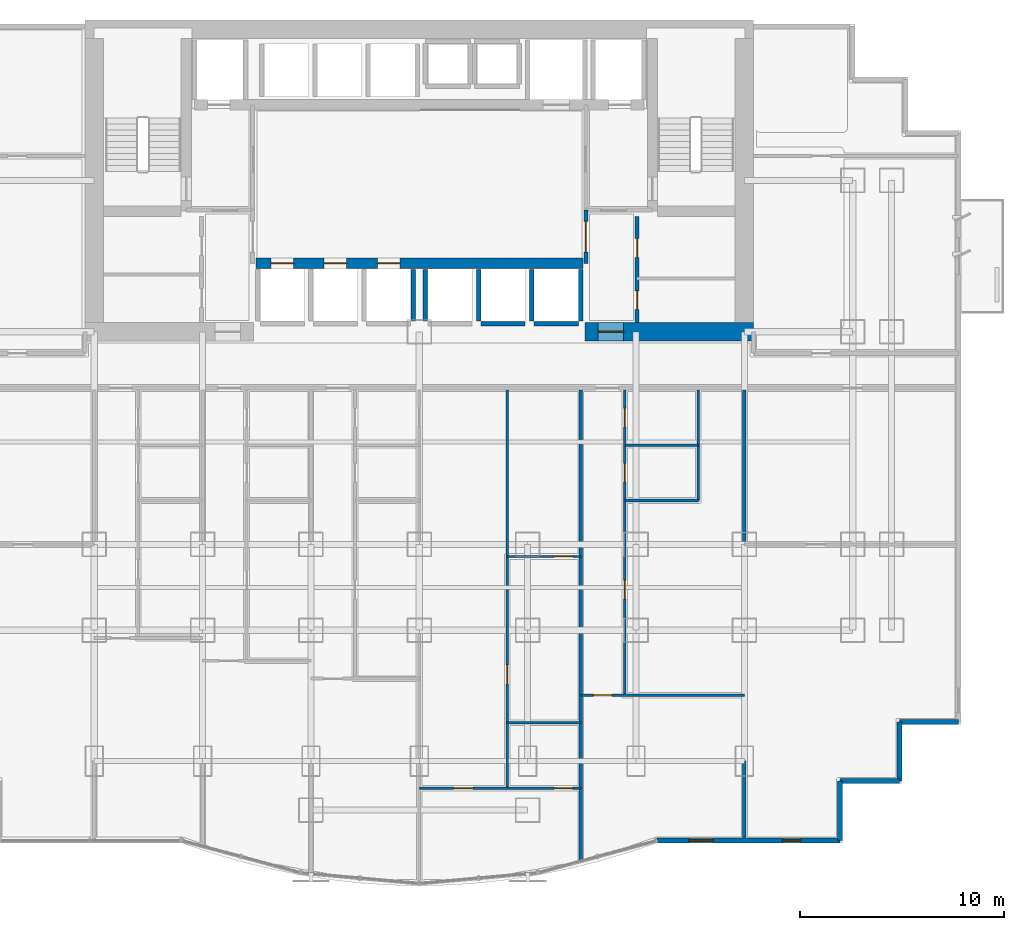
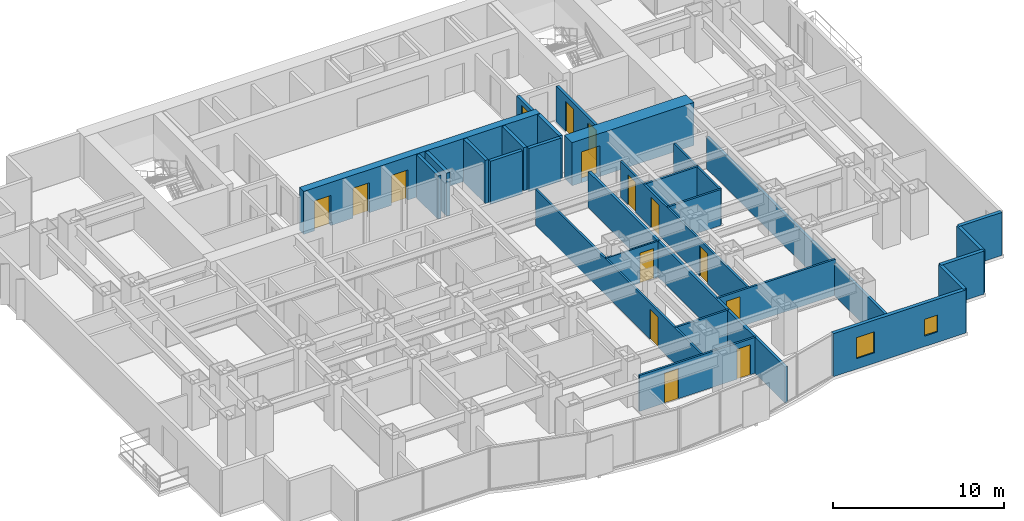
# One storey, part 6 of 10: 27 walls, 15 doors, 2 windows, 17 openings.
"""IFC4 building model written with IfcOpenShell, lengths in metres."""

from ifc_helpers import new_model, si_unit, direction, frame, frame_2d, origin, place, context, subcontext, project, spatial, rectangle, extrude, material, layer, layer_set, type_object, element, fill, save


model = new_model("IFC4")

# Units and contexts
model_context = context("Model", 3, precision=1e-05, world=origin(), true_north=direction((0.0, 1.0)))
body_context = subcontext(model_context, "Body", "Model", "MODEL_VIEW")
ifc_project = project(units=[si_unit("LENGTHUNIT", "METRE"), si_unit("AREAUNIT", "SQUARE_METRE"), si_unit("VOLUMEUNIT", "CUBIC_METRE"), si_unit("PLANEANGLEUNIT", "RADIAN"), si_unit("MASSUNIT", "GRAM", prefix="KILO")], contexts=[model_context])

# Site, building, storey
site_placement = place(None, origin())
site = spatial("IfcSite", under=ifc_project, at=site_placement, CompositionType="ELEMENT")
building_placement = place(site_placement, origin())
building = spatial("IfcBuilding", under=site, at=building_placement, Name="Qianlan Lanfeng Residences", CompositionType="ELEMENT")
storey_placement = place(building_placement, frame((0.0, 0.0, 40.699951171875)))
storey = spatial("IfcBuildingStorey", under=building, at=storey_placement, Name="L10", CompositionType="ELEMENT", Elevation=40.699951171875)

# Wall, openings, doors
ifc_material_1 = material(Name="Concrete C70", Category="concrete")
ifc_layer_1 = layer(ifc_material_1, 0.5)
ifc_layer_set_1 = layer_set([ifc_layer_1], Name="Concrete C70")
wall_type_1 = type_object("IfcWallType", Name="CW-RC-500", PredefinedType="SHEAR", material=ifc_layer_set_1)
wall_1_placement = place(storey_placement, frame((18.5, 28.550048828125, 0.0), z_axis=(0.0, 0.0, 1.0), x_axis=(1.0, 0.0, 0.0)))
wall_1 = element("IfcWall", 1, at=wall_1_placement, inside=storey, type_object=wall_type_1, Name="L10 Core Shear Wall LBS", PredefinedType="SHEAR", context=body_context, shape_type="SweptSolid", body=[
    extrude(rectangle(XDim=16.0, YDim=0.5, at=frame_2d((8.0, 0.0))), origin(), (0.0, 0.0, 1.0), 3.080078125),
])
opening_1_placement = place(wall_1_placement, frame((0.75, 0.0, 0.0)))
opening_1 = element("IfcOpeningElement", 2, at=opening_1_placement, cuts=wall_1, Name="Opening L10-LD-PL-L1", PredefinedType="OPENING", context=body_context, shape_type="SweptSolid", body=[
    extrude(rectangle(XDim=1.10009765625, YDim=2.14990234375, at=frame_2d((0.550048828125, 1.074951171875))), frame((0.0, 0.260009765625, 0.0), z_axis=(0.0, -1.0, 0.0), x_axis=(1.0, 0.0, 0.0)), (0.0, 0.0, 1.0), 0.52001953125),
])
opening_2_placement = place(wall_1_placement, frame((3.35009765625, 0.0, 0.0)))
opening_2 = element("IfcOpeningElement", 3, at=opening_2_placement, cuts=wall_1, Name="Opening L10-LD-PL-L2", PredefinedType="OPENING", context=body_context, shape_type="SweptSolid", body=[
    extrude(rectangle(XDim=1.10009765625, YDim=2.14990234375, at=frame_2d((0.550048828125, 1.074951171875))), frame((0.0, 0.260009765625, 0.0), z_axis=(0.0, -1.0, 0.0), x_axis=(1.0, 0.0, 0.0)), (0.0, 0.0, 1.0), 0.52001953125),
])
opening_3_placement = place(wall_1_placement, frame((5.949951171875, 0.0, 0.0)))
opening_3 = element("IfcOpeningElement", 4, at=opening_3_placement, cuts=wall_1, Name="Opening L10-LD-PL-L3", PredefinedType="OPENING", context=body_context, shape_type="SweptSolid", body=[
    extrude(rectangle(XDim=1.10009765625, YDim=2.14990234375, at=frame_2d((0.550048828125, 1.074951171875))), frame((0.0, 0.260009765625, 0.0), z_axis=(0.0, -1.0, 0.0), x_axis=(1.0, 0.0, 0.0)), (0.0, 0.0, 1.0), 0.52001953125),
])
ifc_material_2 = material(Name="Brushed Stainless Steel Sliding Lift Door", Category="steel")
door_type_1 = type_object("IfcDoorType", Name="LD-01", OperationType="NOTDEFINED", PredefinedType="DOOR", material=ifc_material_2)
door_1_placement = place(opening_1_placement, origin())
door_1 = element("IfcDoor", 5, at=door_1_placement, inside=storey, type_object=door_type_1, Name="L10 Elevator PL-L1 Sliding Landing Door", OperationType="DOUBLE_DOOR_SLIDING", OverallHeight=2.14990234375, OverallWidth=1.10009765625, PredefinedType="DOOR", context=body_context, shape_type="SweptSolid", body=[
    extrude(rectangle(XDim=1.10009765625, YDim=2.14990234375, at=frame_2d((0.550048828125, 1.074951171875))), frame((0.0, 0.02490234375, 0.0), z_axis=(0.0, -1.0, 0.0), x_axis=(1.0, 0.0, 0.0)), (0.0, 0.0, 1.0), 0.050048828125),
])
fill(opening_1, door_1)
door_2_placement = place(opening_2_placement, origin())
door_2 = element("IfcDoor", 6, at=door_2_placement, inside=storey, type_object=door_type_1, Name="L10 Elevator PL-L2 Sliding Landing Door", OperationType="DOUBLE_DOOR_SLIDING", OverallHeight=2.14990234375, OverallWidth=1.10009765625, PredefinedType="DOOR", context=body_context, shape_type="SweptSolid", body=[
    extrude(rectangle(XDim=1.10009765625, YDim=2.14990234375, at=frame_2d((0.550048828125, 1.074951171875))), frame((0.0, 0.02490234375, 0.0), z_axis=(0.0, -1.0, 0.0), x_axis=(1.0, 0.0, 0.0)), (0.0, 0.0, 1.0), 0.050048828125),
])
fill(opening_2, door_2)
door_3_placement = place(opening_3_placement, origin())
door_3 = element("IfcDoor", 7, at=door_3_placement, inside=storey, type_object=door_type_1, Name="L10 Elevator PL-L3 Sliding Landing Door", OperationType="DOUBLE_DOOR_SLIDING", OverallHeight=2.14990234375, OverallWidth=1.10009765625, PredefinedType="DOOR", context=body_context, shape_type="SweptSolid", body=[
    extrude(rectangle(XDim=1.10009765625, YDim=2.14990234375, at=frame_2d((0.550048828125, 1.074951171875))), frame((0.0, 0.02490234375, 0.0), z_axis=(0.0, -1.0, 0.0), x_axis=(1.0, 0.0, 0.0)), (0.0, 0.0, 1.0), 0.050048828125),
])
fill(opening_3, door_3)

# Wall, opening, door
ifc_layer_2 = layer(ifc_material_1, 0.89990234375)
ifc_layer_set_2 = layer_set([ifc_layer_2], Name="Concrete C70")
wall_type_2 = type_object("IfcWallType", Name="CW-RC-900", PredefinedType="SHEAR", material=ifc_layer_set_2)
wall_2_placement = place(storey_placement, frame((34.60009765625, 25.199951171875, 0.0), z_axis=(0.0, 0.0, 1.0), x_axis=(1.0, 0.0, 0.0)))
wall_2 = element("IfcWall", 8, at=wall_2_placement, inside=storey, type_object=wall_type_2, Name="L10 Core Shear Wall SE", PredefinedType="SHEAR", context=body_context, shape_type="SweptSolid", body=[
    extrude(rectangle(XDim=8.25, YDim=0.89990234375, at=frame_2d((4.125, 0.0))), origin(), (0.0, 0.0, 1.0), 3.080078125),
])
opening_4_placement = place(wall_2_placement, frame((0.64990234375, 0.0, 0.0)))
opening_4 = element("IfcOpeningElement", 9, at=opening_4_placement, cuts=wall_2, Name="Opening L10-D02", PredefinedType="OPENING", context=body_context, shape_type="SweptSolid", body=[
    extrude(rectangle(XDim=1.25, YDim=2.199951171875, at=frame_2d((0.625, 1.10009765625))), frame((0.0, 0.4599609375, 0.0), z_axis=(0.0, -1.0, 0.0), x_axis=(1.0, 0.0, 0.0)), (0.0, 0.0, 1.0), 0.919921875),
])
ifc_material_3 = material(Name="Painted Galvanised Steel Fire Door", Category="steel")
door_type_2 = type_object("IfcDoorType", Name="DT-FFL", OperationType="NOTDEFINED", PredefinedType="DOOR", material=ifc_material_3)
door_4_placement = place(opening_4_placement, frame((1.25, 0.0, 0.0), z_axis=(0.0, 0.0, 1.0), x_axis=(-1.0, 0.0, 0.0)))
door_4 = element("IfcDoor", 10, at=door_4_placement, inside=storey, type_object=door_type_2, Name="L10 East Core Lobby Smoke Door L10-D02 (DT-FFL)", OperationType="SINGLE_SWING_LEFT", OverallHeight=2.199951171875, OverallWidth=1.25, PredefinedType="DOOR", context=body_context, shape_type="SweptSolid", body=[
    extrude(rectangle(XDim=1.25, YDim=2.199951171875, at=frame_2d((0.625, 1.10009765625))), frame((0.0, 0.02490234375, 0.0), z_axis=(0.0, -1.0, 0.0), x_axis=(1.0, 0.0, 0.0)), (0.0, 0.0, 1.0), 0.050048828125),
])
fill(opening_4, door_4)

# Wall, openings, windows
ifc_material_4 = material(Name="Concrete C42", Category="concrete")
ifc_layer_3 = layer(ifc_material_4, 0.239990234375)
ifc_layer_set_3 = layer_set([ifc_layer_3], Name="Concrete C42")
wall_type_3 = type_object("IfcWallType", Name="EW-240", PredefinedType="SOLIDWALL", material=ifc_layer_set_3)
wall_3_placement = place(storey_placement, frame((38.1298828125, 0.320068359375, 0.0), z_axis=(0.0, 0.0, 1.0), x_axis=(1.0, 0.0, 0.0)))
wall_3 = element("IfcWall", 11, at=wall_3_placement, inside=storey, type_object=wall_type_3, Name="L10 Exterior Facade Spandrel Wall 5", PredefinedType="SOLIDWALL", context=body_context, shape_type="SweptSolid", body=[
    extrude(rectangle(XDim=8.9501953125, YDim=0.239990234375, at=frame_2d((4.47509765625, 0.0))), origin(), (0.0, 0.0, 1.0), 3.080078125),
])
opening_5_placement = place(wall_3_placement, frame((6.135009765625, 0.0, 0.75)))
opening_5 = element("IfcOpeningElement", 12, at=opening_5_placement, cuts=wall_3, Name="Opening W-04", PredefinedType="OPENING", context=body_context, shape_type="SweptSolid", body=[
    extrude(rectangle(XDim=0.89990234375, YDim=1.199951171875, at=frame_2d((0.449951171875, 0.60009765625))), frame((0.0, 0.1298828125, 0.0), z_axis=(0.0, -1.0, 0.0), x_axis=(1.0, 0.0, 0.0)), (0.0, 0.0, 1.0), 0.260009765625),
])
opening_6_placement = place(wall_3_placement, frame((1.56005859375, 0.0, 0.75)))
opening_6 = element("IfcOpeningElement", 13, at=opening_6_placement, cuts=wall_3, Name="Opening W-03", PredefinedType="OPENING", context=body_context, shape_type="SweptSolid", body=[
    extrude(rectangle(XDim=1.199951171875, YDim=1.5, at=frame_2d((0.60009765625, 0.75))), frame((0.0, 0.1298828125, 0.0), z_axis=(0.0, -1.0, 0.0), x_axis=(1.0, 0.0, 0.0)), (0.0, 0.0, 1.0), 0.260009765625),
])
ifc_material_5 = material(Name="Anodised Bronze Aluminium Framed Double Glazing", Category="aluminium")
window_type_1 = type_object("IfcWindowType", Name="W-03", PartitioningType="SINGLE_PANEL", PredefinedType="WINDOW", material=ifc_material_5)
window_1_placement = place(opening_6_placement, origin())
window_1 = element("IfcWindow", 14, at=window_1_placement, inside=storey, type_object=window_type_1, Name="L10 Facade Bay Window W-03", OverallHeight=1.5, OverallWidth=1.199951171875, PartitioningType="SINGLE_PANEL", PredefinedType="WINDOW", context=body_context, shape_type="SweptSolid", body=[
    extrude(rectangle(XDim=1.199951171875, YDim=1.5, at=frame_2d((0.60009765625, 0.75))), frame((0.0, 0.030029296875, 0.0), z_axis=(0.0, -1.0, 0.0), x_axis=(1.0, 0.0, 0.0)), (0.0, 0.0, 1.0), 0.06005859375),
])
fill(opening_6, window_1)
window_type_2 = type_object("IfcWindowType", Name="W-04", PartitioningType="SINGLE_PANEL", PredefinedType="WINDOW", material=ifc_material_5)
window_2_placement = place(opening_5_placement, origin())
window_2 = element("IfcWindow", 15, at=window_2_placement, inside=storey, type_object=window_type_2, Name="L10 Facade Punched Window W-04", OverallHeight=1.199951171875, OverallWidth=0.89990234375, PartitioningType="SINGLE_PANEL", PredefinedType="WINDOW", context=body_context, shape_type="SweptSolid", body=[
    extrude(rectangle(XDim=0.89990234375, YDim=1.199951171875, at=frame_2d((0.449951171875, 0.60009765625))), frame((0.0, 0.030029296875, 0.0), z_axis=(0.0, -1.0, 0.0), x_axis=(1.0, 0.0, 0.0)), (0.0, 0.0, 1.0), 0.06005859375),
])
fill(opening_5, window_2)

# Walls
for number, where, z_axis, x_axis, name in (
    (16, (47.080078125, 0.320068359375, 0.0), (0.0, 0.0, 1.0), (0.0, 1.0, 0.0), "L10 Exterior Facade Spandrel Wall 6"),
    (17, (47.080078125, 3.219970703125, 0.0), (0.0, 0.0, 1.0), (1.0, 0.0, 0.0), "L10 Exterior Facade Spandrel Wall 7"),
):
    element("IfcWall", number, at=place(storey_placement, frame(where, z_axis=z_axis, x_axis=x_axis)), inside=storey, type_object=wall_type_3, Name=name, PredefinedType="SOLIDWALL", context=body_context, shape_type="SweptSolid", body=[
        extrude(rectangle(XDim=2.89990234375, YDim=0.239990234375, at=frame_2d((1.449951171875, 0.0))), origin(), (0.0, 0.0, 1.0), 3.080078125),
    ])
wall_4_placement = place(storey_placement, frame((49.97998046875, 3.219970703125, 0.0), z_axis=(0.0, 0.0, 1.0), x_axis=(0.0, 1.0, 0.0)))
element("IfcWall", 18, at=wall_4_placement, inside=storey, type_object=wall_type_3, Name="L10 Exterior Facade Spandrel Wall 8", PredefinedType="SOLIDWALL", context=body_context, shape_type="SweptSolid", body=[
    extrude(rectangle(XDim=2.900146484375, YDim=0.239990234375, at=frame_2d((1.4501953125, 0.0))), origin(), (0.0, 0.0, 1.0), 3.080078125),
])
wall_5_placement = place(storey_placement, frame((49.97998046875, 6.1201171875, 0.0), z_axis=(0.0, 0.0, 1.0), x_axis=(1.0, 0.0, 0.0)))
element("IfcWall", 19, at=wall_5_placement, inside=storey, type_object=wall_type_3, Name="L10 Exterior Facade Spandrel Wall 9", PredefinedType="SOLIDWALL", context=body_context, shape_type="SweptSolid", body=[
    extrude(rectangle(XDim=2.89990234375, YDim=0.239990234375, at=frame_2d((1.449951171875, 0.0))), origin(), (0.0, 0.0, 1.0), 3.080078125),
])

# Wall, opening, door
ifc_material_6 = material(Name="Demountable Acoustic Framing Partition 110 mm")
ifc_layer_4 = layer(ifc_material_6, 0.110107421875)
ifc_layer_set_4 = layer_set([ifc_layer_4], Name="Demountable Acoustic Framing Partition 110 mm")
wall_type_4 = type_object("IfcWallType", Name="PW-110", PredefinedType="MOVABLE", material=ifc_layer_set_4)
wall_6_placement = place(storey_placement, frame((30.800048828125, 14.2119140625, 0.0), z_axis=(0.0, 0.0, 1.0), x_axis=(1.0, 0.0, 0.0)))
wall_6 = element("IfcWall", 20, at=wall_6_placement, inside=storey, type_object=wall_type_4, Name="L10 U03 Wardrobe Split", PredefinedType="MOVABLE", context=body_context, shape_type="SweptSolid", body=[
    extrude(rectangle(XDim=3.599853515625, YDim=0.110107421875, at=frame_2d((1.7998046875, 0.0))), origin(), (0.0, 0.0, 1.0), 2.570068359375),
])
opening_7_placement = place(wall_6_placement, frame((2.2900390625, 0.0, 0.0)))
opening_7 = element("IfcOpeningElement", 21, at=opening_7_placement, cuts=wall_6, Name="Opening L10-D34", PredefinedType="OPENING", context=body_context, shape_type="SweptSolid", body=[
    extrude(rectangle(XDim=0.919921875, YDim=2.14990234375, at=frame_2d((0.4599609375, 1.074951171875))), frame((0.0, 0.06494140625, 0.0), z_axis=(0.0, -1.0, 0.0), x_axis=(1.0, 0.0, 0.0)), (0.0, 0.0, 1.0), 0.130126953125),
])
ifc_material_7 = material(Name="Glazed Timber Kitchen/Study Door", Category="wood")
door_type_3 = type_object("IfcDoorType", Name="DT-INT", OperationType="NOTDEFINED", PredefinedType="DOOR", material=ifc_material_7)
door_5_placement = place(opening_7_placement, frame((0.919921875, 0.0, 0.0), z_axis=(0.0, 0.0, 1.0), x_axis=(-1.0, 0.0, 0.0)))
door_5 = element("IfcDoor", 22, at=door_5_placement, inside=storey, type_object=door_type_3, Name="L10 U03 Dressing Inner Door L10-D34 (DT-INT)", OperationType="SINGLE_SWING_RIGHT", OverallHeight=2.14990234375, OverallWidth=0.919921875, PredefinedType="DOOR", context=body_context, shape_type="SweptSolid", body=[
    extrude(rectangle(XDim=0.919921875, YDim=2.14990234375, at=frame_2d((0.4599609375, 1.074951171875))), frame((0.0, 0.02490234375, 0.0), z_axis=(0.0, -1.0, 0.0), x_axis=(1.0, 0.0, 0.0)), (0.0, 0.0, 1.0), 0.050048828125),
])
fill(opening_7, door_5)

# Wall, openings, doors
ifc_material_8 = material(Name="Moisture-Resistant Gypsum Partition 135 mm")
ifc_layer_5 = layer(ifc_material_8, 0.135009765625)
ifc_layer_set_5 = layer_set([ifc_layer_5], Name="Moisture-Resistant Gypsum Partition 135 mm")
wall_type_5 = type_object("IfcWallType", Name="PW-135", PredefinedType="PARTITIONING", material=ifc_layer_set_5)
wall_7_placement = place(storey_placement, frame((26.5, 2.873046875, 0.0), z_axis=(0.0, 0.0, 1.0), x_axis=(1.0, 0.0, 0.0)))
wall_7 = element("IfcWall", 23, at=wall_7_placement, inside=storey, type_object=wall_type_5, Name="L10 U03 Master Bedroom North Wall", PredefinedType="PARTITIONING", context=body_context, shape_type="SweptSolid", body=[
    extrude(rectangle(XDim=7.89990234375, YDim=0.135009765625, at=frame_2d((3.949951171875, 0.0))), origin(), (0.0, 0.0, 1.0), 2.570068359375),
])
opening_8_placement = place(wall_7_placement, frame((1.675048828125, 0.0, 0.0)))
opening_8 = element("IfcOpeningElement", 24, at=opening_8_placement, cuts=wall_7, Name="Opening L10-D31", PredefinedType="OPENING", context=body_context, shape_type="SweptSolid", body=[
    extrude(rectangle(XDim=0.949951171875, YDim=2.14990234375, at=frame_2d((0.47509765625, 1.074951171875))), frame((0.0, 0.07763671875, 0.0), z_axis=(0.0, -1.0, 0.0), x_axis=(1.0, 0.0, 0.0)), (0.0, 0.0, 1.0), 0.155029296875),
])
opening_9_placement = place(wall_7_placement, frame((6.60009765625, 0.0, 0.0)))
opening_9 = element("IfcOpeningElement", 25, at=opening_9_placement, cuts=wall_7, Name="Opening L10-D32", PredefinedType="OPENING", context=body_context, shape_type="SweptSolid", body=[
    extrude(rectangle(XDim=0.89990234375, YDim=2.14990234375, at=frame_2d((0.449951171875, 1.074951171875))), frame((0.0, 0.07763671875, 0.0), z_axis=(0.0, -1.0, 0.0), x_axis=(1.0, 0.0, 0.0)), (0.0, 0.0, 1.0), 0.155029296875),
])
ifc_material_9 = material(Name="Painted Solid-Core Timber Leaf", Category="wood")
door_type_4 = type_object("IfcDoorType", Name="DT-BED", OperationType="NOTDEFINED", PredefinedType="DOOR", material=ifc_material_9)
door_6_placement = place(opening_8_placement, origin())
door_6 = element("IfcDoor", 26, at=door_6_placement, inside=storey, type_object=door_type_4, Name="L10 U03 Master Bedroom Door L10-D31 (DT-BED)", OperationType="SINGLE_SWING_RIGHT", OverallHeight=2.14990234375, OverallWidth=0.949951171875, PredefinedType="DOOR", context=body_context, shape_type="SweptSolid", body=[
    extrude(rectangle(XDim=0.949951171875, YDim=2.14990234375, at=frame_2d((0.47509765625, 1.074951171875))), frame((0.0, 0.02490234375, 0.0), z_axis=(0.0, -1.0, 0.0), x_axis=(1.0, 0.0, 0.0)), (0.0, 0.0, 1.0), 0.050048828125),
])
fill(opening_8, door_6)
ifc_material_10 = material(Name="Moisture-Resistant Timber Leaf", Category="wood")
door_type_5 = type_object("IfcDoorType", Name="DT-WC", OperationType="NOTDEFINED", PredefinedType="DOOR", material=ifc_material_10)
door_7_placement = place(opening_9_placement, origin())
door_7 = element("IfcDoor", 27, at=door_7_placement, inside=storey, type_object=door_type_5, Name="L10 U03 En-Suite Bathroom Door L10-D32 (DT-WC)", OperationType="SINGLE_SWING_LEFT", OverallHeight=2.14990234375, OverallWidth=0.89990234375, PredefinedType="DOOR", context=body_context, shape_type="SweptSolid", body=[
    extrude(rectangle(XDim=0.89990234375, YDim=2.14990234375, at=frame_2d((0.449951171875, 1.074951171875))), frame((0.0, 0.02490234375, 0.0), z_axis=(0.0, -1.0, 0.0), x_axis=(1.0, 0.0, 0.0)), (0.0, 0.0, 1.0), 0.050048828125),
])
fill(opening_9, door_7)

# Wall, opening, door
wall_8_placement = place(storey_placement, frame((30.800048828125, 2.873046875, 0.0), z_axis=(0.0, 0.0, 1.0), x_axis=(0.0, 1.0, 0.0)))
wall_8 = element("IfcWall", 28, at=wall_8_placement, inside=storey, type_object=wall_type_5, Name="L10 U03 Master Passage Wall", PredefinedType="PARTITIONING", context=body_context, shape_type="SweptSolid", body=[
    extrude(rectangle(XDim=19.47705078125, YDim=0.135009765625, at=frame_2d((9.738525390625, 0.0))), origin(), (0.0, 0.0, 1.0), 2.570068359375),
])
opening_10_placement = place(wall_8_placement, frame((5.10888671875, 0.0, 0.0)))
opening_10 = element("IfcOpeningElement", 29, at=opening_10_placement, cuts=wall_8, Name="Opening L10-D33", PredefinedType="OPENING", context=body_context, shape_type="SweptSolid", body=[
    extrude(rectangle(XDim=0.919921875, YDim=2.14990234375, at=frame_2d((0.4599609375, 1.074951171875))), frame((0.0, 0.07763671875, 0.0), z_axis=(0.0, -1.0, 0.0), x_axis=(1.0, 0.0, 0.0)), (0.0, 0.0, 1.0), 0.155029296875),
])
door_8_placement = place(opening_10_placement, origin())
door_8 = element("IfcDoor", 30, at=door_8_placement, inside=storey, type_object=door_type_3, Name="L10 U03 Wardrobe Door L10-D33 (DT-INT)", OperationType="SINGLE_SWING_RIGHT", OverallHeight=2.14990234375, OverallWidth=0.919921875, PredefinedType="DOOR", context=body_context, shape_type="SweptSolid", body=[
    extrude(rectangle(XDim=0.919921875, YDim=2.14990234375, at=frame_2d((0.4599609375, 1.074951171875))), frame((0.0, 0.02490234375, 0.0), z_axis=(0.0, -1.0, 0.0), x_axis=(1.0, 0.0, 0.0)), (0.0, 0.0, 1.0), 0.050048828125),
])
fill(opening_10, door_8)

# Wall
wall_9_placement = place(storey_placement, frame((30.800048828125, 6.072998046875, 0.0), z_axis=(0.0, 0.0, 1.0), x_axis=(1.0, 0.0, 0.0)))
element("IfcWall", 31, at=wall_9_placement, inside=storey, type_object=wall_type_5, Name="L10 U03 En-Suite North Wall", PredefinedType="PARTITIONING", context=body_context, shape_type="SweptSolid", body=[
    extrude(rectangle(XDim=3.599853515625, YDim=0.135009765625, at=frame_2d((1.7998046875, 0.0))), origin(), (0.0, 0.0, 1.0), 2.570068359375),
])

# Wall, opening, door
wall_10_placement = place(storey_placement, frame((34.39990234375, 7.419921875, 0.0), z_axis=(0.0, 0.0, 1.0), x_axis=(1.0, 0.0, 0.0)))
wall_10 = element("IfcWall", 32, at=wall_10_placement, inside=storey, type_object=wall_type_5, Name="L10 U04 Living Divider", PredefinedType="PARTITIONING", context=body_context, shape_type="SweptSolid", body=[
    extrude(rectangle(XDim=8.0, YDim=0.135009765625, at=frame_2d((4.0, 0.0))), origin(), (0.0, 0.0, 1.0), 2.570068359375),
])
opening_11_placement = place(wall_10_placement, frame((0.614990234375, 0.0, 0.0)))
opening_11 = element("IfcOpeningElement", 33, at=opening_11_placement, cuts=wall_10, Name="Opening L10-D36", PredefinedType="OPENING", context=body_context, shape_type="SweptSolid", body=[
    extrude(rectangle(XDim=0.919921875, YDim=2.14990234375, at=frame_2d((0.4599609375, 1.074951171875))), frame((0.0, 0.07763671875, 0.0), z_axis=(0.0, -1.0, 0.0), x_axis=(1.0, 0.0, 0.0)), (0.0, 0.0, 1.0), 0.155029296875),
])
door_9_placement = place(opening_11_placement, frame((0.919921875, 0.0, 0.0), z_axis=(0.0, 0.0, 1.0), x_axis=(-1.0, 0.0, 0.0)))
door_9 = element("IfcDoor", 34, at=door_9_placement, inside=storey, type_object=door_type_3, Name="L10 U04 Living Passage Door L10-D36 (DT-INT)", OperationType="SINGLE_SWING_RIGHT", OverallHeight=2.14990234375, OverallWidth=0.919921875, PredefinedType="DOOR", context=body_context, shape_type="SweptSolid", body=[
    extrude(rectangle(XDim=0.919921875, YDim=2.14990234375, at=frame_2d((0.4599609375, 1.074951171875))), frame((0.0, 0.02490234375, 0.0), z_axis=(0.0, -1.0, 0.0), x_axis=(1.0, 0.0, 0.0)), (0.0, 0.0, 1.0), 0.050048828125),
])
fill(opening_11, door_9)

# Wall, openings, doors
wall_11_placement = place(storey_placement, frame((36.550048828125, 7.419921875, 0.0), z_axis=(0.0, 0.0, 1.0), x_axis=(0.0, 1.0, 0.0)))
wall_11 = element("IfcWall", 35, at=wall_11_placement, inside=storey, type_object=wall_type_5, Name="L10 U04 Entry Hall Spine", PredefinedType="PARTITIONING", context=body_context, shape_type="SweptSolid", body=[
    extrude(rectangle(XDim=14.93017578125, YDim=0.135009765625, at=frame_2d((7.465087890625, 0.0))), origin(), (0.0, 0.0, 1.0), 2.570068359375),
])
opening_12_placement = place(wall_11_placement, frame((4.705078125, 0.0, 0.0)))
opening_12 = element("IfcOpeningElement", 36, at=opening_12_placement, cuts=wall_11, Name="Opening L10-D37", PredefinedType="OPENING", context=body_context, shape_type="SweptSolid", body=[
    extrude(rectangle(XDim=0.919921875, YDim=2.14990234375, at=frame_2d((0.4599609375, 1.074951171875))), frame((0.0, 0.07763671875, 0.0), z_axis=(0.0, -1.0, 0.0), x_axis=(1.0, 0.0, 0.0)), (0.0, 0.0, 1.0), 0.155029296875),
])
opening_13_placement = place(wall_11_placement, frame((10.419921875, 0.0, 0.0)))
opening_13 = element("IfcOpeningElement", 37, at=opening_13_placement, cuts=wall_11, Name="Opening L10-D38", PredefinedType="OPENING", context=body_context, shape_type="SweptSolid", body=[
    extrude(rectangle(XDim=0.919921875, YDim=2.14990234375, at=frame_2d((0.4599609375, 1.074951171875))), frame((0.0, 0.07763671875, 0.0), z_axis=(0.0, -1.0, 0.0), x_axis=(1.0, 0.0, 0.0)), (0.0, 0.0, 1.0), 0.155029296875),
])
opening_14_placement = place(wall_11_placement, frame((13.1298828125, 0.0, 0.0)))
opening_14 = element("IfcOpeningElement", 38, at=opening_14_placement, cuts=wall_11, Name="Opening L10-D39", PredefinedType="OPENING", context=body_context, shape_type="SweptSolid", body=[
    extrude(rectangle(XDim=0.89990234375, YDim=2.14990234375, at=frame_2d((0.449951171875, 1.074951171875))), frame((0.0, 0.07763671875, 0.0), z_axis=(0.0, -1.0, 0.0), x_axis=(1.0, 0.0, 0.0)), (0.0, 0.0, 1.0), 0.155029296875),
])
door_10_placement = place(opening_12_placement, origin())
door_10 = element("IfcDoor", 39, at=door_10_placement, inside=storey, type_object=door_type_3, Name="L10 U04 Study Door L10-D37 (DT-INT)", OperationType="SINGLE_SWING_RIGHT", OverallHeight=2.14990234375, OverallWidth=0.919921875, PredefinedType="DOOR", context=body_context, shape_type="SweptSolid", body=[
    extrude(rectangle(XDim=0.919921875, YDim=2.14990234375, at=frame_2d((0.4599609375, 1.074951171875))), frame((0.0, 0.02490234375, 0.0), z_axis=(0.0, -1.0, 0.0), x_axis=(1.0, 0.0, 0.0)), (0.0, 0.0, 1.0), 0.050048828125),
])
fill(opening_12, door_10)
door_11_placement = place(opening_13_placement, origin())
door_11 = element("IfcDoor", 40, at=door_11_placement, inside=storey, type_object=door_type_3, Name="L10 U04 Kitchen Door L10-D38 (DT-INT)", OperationType="SINGLE_SWING_LEFT", OverallHeight=2.14990234375, OverallWidth=0.919921875, PredefinedType="DOOR", context=body_context, shape_type="SweptSolid", body=[
    extrude(rectangle(XDim=0.919921875, YDim=2.14990234375, at=frame_2d((0.4599609375, 1.074951171875))), frame((0.0, 0.02490234375, 0.0), z_axis=(0.0, -1.0, 0.0), x_axis=(1.0, 0.0, 0.0)), (0.0, 0.0, 1.0), 0.050048828125),
])
fill(opening_13, door_11)
door_12_placement = place(opening_14_placement, origin())
door_12 = element("IfcDoor", 41, at=door_12_placement, inside=storey, type_object=door_type_5, Name="L10 U04 Bathroom Door L10-D39 (DT-WC)", OperationType="SINGLE_SWING_RIGHT", OverallHeight=2.14990234375, OverallWidth=0.89990234375, PredefinedType="DOOR", context=body_context, shape_type="SweptSolid", body=[
    extrude(rectangle(XDim=0.89990234375, YDim=2.14990234375, at=frame_2d((0.449951171875, 1.074951171875))), frame((0.0, 0.02490234375, 0.0), z_axis=(0.0, -1.0, 0.0), x_axis=(1.0, 0.0, 0.0)), (0.0, 0.0, 1.0), 0.050048828125),
])
fill(opening_14, door_12)

# Walls
wall_12_placement = place(storey_placement, frame((36.550048828125, 16.949951171875, 0.0), z_axis=(0.0, 0.0, 1.0), x_axis=(1.0, 0.0, 0.0)))
element("IfcWall", 42, at=wall_12_placement, inside=storey, type_object=wall_type_5, Name="L10 U04 Kitchen South Wall", PredefinedType="PARTITIONING", context=body_context, shape_type="SweptSolid", body=[
    extrude(rectangle(XDim=3.599853515625, YDim=0.135009765625, at=frame_2d((1.7998046875, 0.0))), origin(), (0.0, 0.0, 1.0), 2.570068359375),
])
wall_13_placement = place(storey_placement, frame((40.14990234375, 16.949951171875, 0.0), z_axis=(0.0, 0.0, 1.0), x_axis=(0.0, 1.0, 0.0)))
element("IfcWall", 43, at=wall_13_placement, inside=storey, type_object=wall_type_5, Name="L10 U04 Dining East Wall", PredefinedType="PARTITIONING", context=body_context, shape_type="SweptSolid", body=[
    extrude(rectangle(XDim=5.400146484375, YDim=0.135009765625, at=frame_2d((2.7001953125, 0.0))), origin(), (0.0, 0.0, 1.0), 2.570068359375),
])
wall_14_placement = place(storey_placement, frame((36.550048828125, 19.64990234375, 0.0), z_axis=(0.0, 0.0, 1.0), x_axis=(1.0, 0.0, 0.0)))
element("IfcWall", 44, at=wall_14_placement, inside=storey, type_object=wall_type_5, Name="L10 U04 Bathroom South Wall", PredefinedType="PARTITIONING", context=body_context, shape_type="SweptSolid", body=[
    extrude(rectangle(XDim=3.599853515625, YDim=0.135009765625, at=frame_2d((1.7998046875, 0.0))), origin(), (0.0, 0.0, 1.0), 2.570068359375),
])

# Wall, openings, doors
ifc_material_11 = material(Name="Double-Layer Acoustic Gypsum Stud Wall 180 mm")
ifc_layer_6 = layer(ifc_material_11, 0.179931640625)
ifc_layer_set_6 = layer_set([ifc_layer_6], Name="Double-Layer Acoustic Gypsum Stud Wall 180 mm")
wall_type_6 = type_object("IfcWallType", Name="PW-180", PredefinedType="PARTITIONING", material=ifc_layer_set_6)
wall_15_placement = place(storey_placement, frame((37.14990234375, 25.64990234375, 0.0), z_axis=(0.0, 0.0, 1.0), x_axis=(0.0, 1.0, 0.0)))
wall_15 = element("IfcWall", 45, at=wall_15_placement, inside=storey, type_object=wall_type_6, Name="L10 Core East Service Room Wall", PredefinedType="PARTITIONING", context=body_context, shape_type="SweptSolid", body=[
    extrude(rectangle(XDim=5.2001953125, YDim=0.179931640625, at=frame_2d((2.60009765625, 0.0))), origin(), (0.0, 0.0, 1.0), 2.570068359375),
])
opening_15_placement = place(wall_15_placement, frame((0.64990234375, 0.0, 0.0)))
opening_15 = element("IfcOpeningElement", 46, at=opening_15_placement, cuts=wall_15, Name="Opening L10-D11", PredefinedType="OPENING", context=body_context, shape_type="SweptSolid", body=[
    extrude(rectangle(XDim=0.89990234375, YDim=2.14990234375, at=frame_2d((0.449951171875, 1.074951171875))), frame((0.0, 0.10009765625, 0.0), z_axis=(0.0, -1.0, 0.0), x_axis=(1.0, 0.0, 0.0)), (0.0, 0.0, 1.0), 0.199951171875),
])
opening_16_placement = place(wall_15_placement, frame((3.18994140625, 0.0, 0.0)))
opening_16 = element("IfcOpeningElement", 47, at=opening_16_placement, cuts=wall_15, Name="Opening L10-D12", PredefinedType="OPENING", context=body_context, shape_type="SweptSolid", body=[
    extrude(rectangle(XDim=0.919921875, YDim=2.14990234375, at=frame_2d((0.4599609375, 1.074951171875))), frame((0.0, 0.10009765625, 0.0), z_axis=(0.0, -1.0, 0.0), x_axis=(1.0, 0.0, 0.0)), (0.0, 0.0, 1.0), 0.199951171875),
])
door_13_placement = place(opening_16_placement, origin())
door_13 = element("IfcDoor", 48, at=door_13_placement, inside=storey, type_object=door_type_3, Name="L10 Refuse Room Door L10-D12 (DT-INT)", OperationType="SINGLE_SWING_LEFT", OverallHeight=2.14990234375, OverallWidth=0.919921875, PredefinedType="DOOR", context=body_context, shape_type="SweptSolid", body=[
    extrude(rectangle(XDim=0.919921875, YDim=2.14990234375, at=frame_2d((0.4599609375, 1.074951171875))), frame((0.0, 0.02490234375, 0.0), z_axis=(0.0, -1.0, 0.0), x_axis=(1.0, 0.0, 0.0)), (0.0, 0.0, 1.0), 0.050048828125),
])
fill(opening_16, door_13)
door_14_placement = place(opening_15_placement, origin())
door_14 = element("IfcDoor", 49, at=door_14_placement, inside=storey, type_object=door_type_5, Name="L10 Core WC Door L10-D11 (DT-WC)", OperationType="SINGLE_SWING_LEFT", OverallHeight=2.14990234375, OverallWidth=0.89990234375, PredefinedType="DOOR", context=body_context, shape_type="SweptSolid", body=[
    extrude(rectangle(XDim=0.89990234375, YDim=2.14990234375, at=frame_2d((0.449951171875, 1.074951171875))), frame((0.0, 0.02490234375, 0.0), z_axis=(0.0, -1.0, 0.0), x_axis=(1.0, 0.0, 0.0)), (0.0, 0.0, 1.0), 0.050048828125),
])
fill(opening_15, door_14)

# Walls
wall_16_placement = place(storey_placement, frame((42.39990234375, 0.419921875, 0.0), z_axis=(0.0, 0.0, 1.0), x_axis=(0.0, 1.0, 0.0)))
element("IfcWall", 50, at=wall_16_placement, inside=storey, type_object=wall_type_6, Name="L10 Wing Boundary Party Wall E0", PredefinedType="PARTITIONING", context=body_context, shape_type="SweptSolid", body=[
    extrude(rectangle(XDim=21.93017578125, YDim=0.179931640625, at=frame_2d((10.965087890625, 0.0))), origin(), (0.0, 0.0, 1.0), 2.275146484375),
])
wall_17_placement = place(storey_placement, frame((34.39990234375, -0.699951171875, 0.0), z_axis=(0.0, 0.0, 1.0), x_axis=(0.0, 1.0, 0.0)))
element("IfcWall", 51, at=wall_17_placement, inside=storey, type_object=wall_type_6, Name="L10 Inter-Tenancy Party Wall 4", PredefinedType="PARTITIONING", context=body_context, shape_type="SweptSolid", body=[
    extrude(rectangle(XDim=23.050048828125, YDim=0.179931640625, at=frame_2d((11.52490234375, 0.0))), origin(), (0.0, 0.0, 1.0), 2.570068359375),
])

# Wall, opening, door
ifc_material_12 = material(Name="Autoclaved Aerated Concrete Blockwork 200 mm", Category="masonry")
ifc_layer_7 = layer(ifc_material_12, 0.199951171875)
ifc_layer_set_7 = layer_set([ifc_layer_7], Name="Autoclaved Aerated Concrete Blockwork 200 mm")
wall_type_7 = type_object("IfcWallType", Name="PW-200", PredefinedType="PARTITIONING", material=ifc_layer_set_7)
wall_18_placement = place(storey_placement, frame((34.64990234375, 28.550048828125, 0.0), z_axis=(0.0, 0.0, 1.0), x_axis=(0.0, 1.0, 0.0)))
wall_18 = element("IfcWall", 52, at=wall_18_placement, inside=storey, type_object=wall_type_7, Name="L10 Lift Lobby East Connector Wall", PredefinedType="PARTITIONING", context=body_context, shape_type="SweptSolid", body=[
    extrude(rectangle(XDim=2.599853515625, YDim=0.199951171875, at=frame_2d((1.2998046875, 0.0))), origin(), (0.0, 0.0, 1.0), 2.570068359375),
])
opening_17_placement = place(wall_18_placement, frame((0.550048828125, 0.0, 0.0)))
opening_17 = element("IfcOpeningElement", 53, at=opening_17_placement, cuts=wall_18, Name="Opening L10-D14", PredefinedType="OPENING", context=body_context, shape_type="SweptSolid", body=[
    extrude(rectangle(XDim=1.5, YDim=2.25, at=frame_2d((0.75, 1.125))), frame((0.0, 0.10986328125, 0.0), z_axis=(0.0, -1.0, 0.0), x_axis=(1.0, 0.0, 0.0)), (0.0, 0.0, 1.0), 0.219970703125),
])
ifc_material_13 = material(Name="Timber Veneer Acoustic Fire Door", Category="wood")
door_type_6 = type_object("IfcDoorType", Name="DT-COR1", OperationType="NOTDEFINED", PredefinedType="DOOR", material=ifc_material_13)
door_15_placement = place(opening_17_placement, frame((1.5, 0.0, 0.0), z_axis=(0.0, 0.0, 1.0), x_axis=(-1.0, 0.0, 0.0)))
door_15 = element("IfcDoor", 54, at=door_15_placement, inside=storey, type_object=door_type_6, Name="L10 Lift Lobby East Portal Door L10-D14 (DT-COR1)", OperationType="DOUBLE_DOOR_SINGLE_SWING", OverallHeight=2.25, OverallWidth=1.5, PredefinedType="DOOR", context=body_context, shape_type="SweptSolid", body=[
    extrude(rectangle(XDim=1.5, YDim=2.25, at=frame_2d((0.75, 1.125))), frame((0.0, 0.02490234375, 0.0), z_axis=(0.0, -1.0, 0.0), x_axis=(1.0, 0.0, 0.0)), (0.0, 0.0, 1.0), 0.050048828125),
])
fill(opening_17, door_15)

# Walls
ifc_material_14 = material(Name="Concrete C49", Category="concrete")
ifc_layer_8 = layer(ifc_material_14, 0.219970703125)
ifc_layer_set_8 = layer_set([ifc_layer_8], Name="Concrete C49")
wall_type_8 = type_object("IfcWallType", Name="SHW-220", PredefinedType="SOLIDWALL", material=ifc_layer_set_8)
for number, where, z_axis, x_axis, name in (
    (55, (26.199951171875, 25.719970703125, 0.0), (0.0, 0.0, 1.0), (0.0, 1.0, 0.0), "L10 Lift PL-L3 Shaft Wall E"),
    (56, (26.800048828125, 25.719970703125, 0.0), (0.0, 0.0, 1.0), (0.0, 1.0, 0.0), "L10 Lift PL-M1 Shaft Wall W"),
    (57, (29.39990234375, 25.719970703125, 0.0), (0.0, 0.0, 1.0), (0.0, 1.0, 0.0), "L10 Lift PL-M2 Shaft Wall W"),
):
    element("IfcWall", number, at=place(storey_placement, frame(where, z_axis=z_axis, x_axis=x_axis)), inside=storey, type_object=wall_type_8, Name=name, PredefinedType="SOLIDWALL", context=body_context, shape_type="SweptSolid", body=[
        extrude(rectangle(XDim=2.530029296875, YDim=0.219970703125, at=frame_2d((1.26513671875, 0.0))), origin(), (0.0, 0.0, 1.0), 3.080078125),
    ])
wall_19_placement = place(storey_placement, frame((29.52001953125, 25.60009765625, 0.0), z_axis=(0.0, 0.0, 1.0), x_axis=(1.0, 0.0, 0.0)))
element("IfcWall", 58, at=wall_19_placement, inside=storey, type_object=wall_type_8, Name="L10 Lift PL-M2 Shaft Back Wall S", PredefinedType="SOLIDWALL", context=body_context, shape_type="SweptSolid", body=[
    extrude(rectangle(XDim=2.159912109375, YDim=0.219970703125, at=frame_2d((1.080078125, 0.0))), origin(), (0.0, 0.0, 1.0), 3.080078125),
])
for number, where, z_axis, x_axis, name in (
    (59, (32.0, 25.719970703125, 0.0), (0.0, 0.0, 1.0), (0.0, 1.0, 0.0), "L10 Lift PL-M3 Shaft Wall W"),
    (60, (34.39990234375, 25.719970703125, 0.0), (0.0, 0.0, 1.0), (0.0, 1.0, 0.0), "L10 Lift PL-M3 Shaft Wall E"),
):
    element("IfcWall", number, at=place(storey_placement, frame(where, z_axis=z_axis, x_axis=x_axis)), inside=storey, type_object=wall_type_8, Name=name, PredefinedType="SOLIDWALL", context=body_context, shape_type="SweptSolid", body=[
        extrude(rectangle(XDim=2.530029296875, YDim=0.219970703125, at=frame_2d((1.26513671875, 0.0))), origin(), (0.0, 0.0, 1.0), 3.080078125),
    ])
wall_20_placement = place(storey_placement, frame((32.1201171875, 25.60009765625, 0.0), z_axis=(0.0, 0.0, 1.0), x_axis=(1.0, 0.0, 0.0)))
element("IfcWall", 61, at=wall_20_placement, inside=storey, type_object=wall_type_8, Name="L10 Lift PL-M3 Shaft Back Wall S", PredefinedType="SOLIDWALL", context=body_context, shape_type="SweptSolid", body=[
    extrude(rectangle(XDim=2.159912109375, YDim=0.219970703125, at=frame_2d((1.080078125, 0.0))), origin(), (0.0, 0.0, 1.0), 3.080078125),
])

save(model, "model.ifc")
